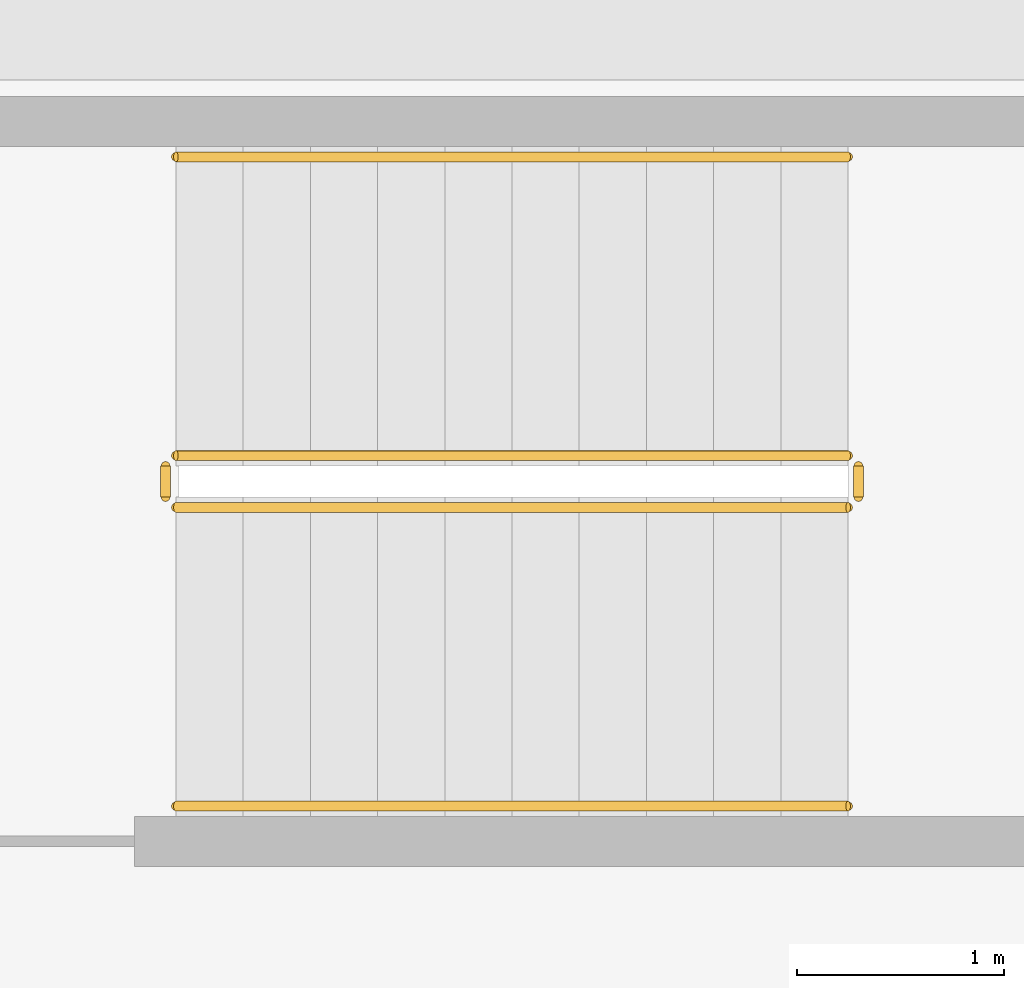
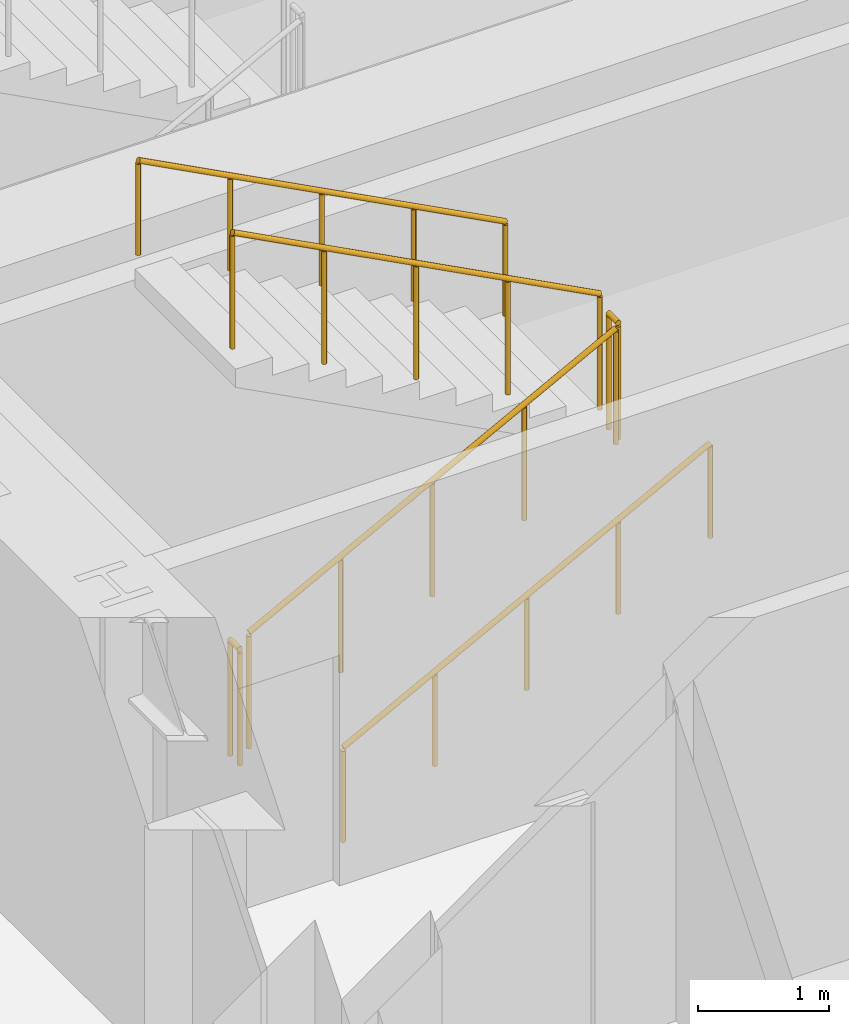
# One storey, part 12 of 15: 6 railings.
"""IFC4 building model written with IfcOpenShell, lengths in metres."""

import ifcopenshell
import ifcopenshell.guid

model = None  # the IFC model being written
_history = None  # IfcOwnerHistory: only IFC2X3 demands one
_inside = {}  # id of a spatial element -> (the spatial element, [elements in it])
_under = {}  # id of a project, library or spatial element -> (it, [spatial elements below it])
_declared = {}  # id of a project -> (the project, [libraries it declares])
_typed = {}  # id of a type object -> (the type object, [elements of that type])
_made_of = {}  # id of a material, layer set ... -> (it, [elements and type objects made of it])


def new_model(schema):
    """Start an empty IFC model of exactly this schema.

    Asked for "IFC4X3", IfcOpenShell would pick the latest addendum, in which some entities
    have other attributes; the version numbers below select the first issue.
    IFC2X3 requires an IfcOwnerHistory on every rooted entity: one is made here for all.
    """
    global model, _history
    if schema == "IFC4X3":
        model = ifcopenshell.file(schema_version=(4, 3, 0, 0))
    else:
        model = ifcopenshell.file(schema=schema)
    _inside.clear()
    _under.clear()
    _declared.clear()
    _typed.clear()
    _made_of.clear()
    _history = None
    if model.schema == "IFC2X3":
        org = make("IfcOrganization", Name="unknown")
        user = make(
            "IfcPersonAndOrganization",
            ThePerson=make("IfcPerson", FamilyName="unknown"),
            TheOrganization=org,
        )
        app = make(
            "IfcApplication",
            ApplicationDeveloper=org,
            Version="unknown",
            ApplicationFullName="unknown",
            ApplicationIdentifier="unknown",
        )
        _history = make(
            "IfcOwnerHistory",
            OwningUser=user,
            OwningApplication=app,
            ChangeAction="ADDED",
            CreationDate=0,
        )
    return model


def make(cls, **values):
    """One entity of the class cls with the attributes given. An attribute that is None is left unset."""
    return model.create_entity(
        cls, **{name: value for name, value in values.items() if value is not None}
    )


def rooted(cls, **values):
    """An entity with a GlobalId (a new one), such as an element, a storey or a relation."""
    return make(cls, GlobalId=ifcopenshell.guid.new(), OwnerHistory=_history, **values)


def si_unit(unit_type, name, prefix=None):
    """IfcSIUnit, for example si_unit("LENGTHUNIT", "METRE", prefix="MILLI")."""
    return make("IfcSIUnit", UnitType=unit_type, Prefix=prefix, Name=name)


def assignment(units):
    """IfcUnitAssignment: the units of a project."""
    return None if units is None else make("IfcUnitAssignment", Units=units)


def point(xyz):
    """IfcCartesianPoint."""
    return None if xyz is None else make("IfcCartesianPoint", Coordinates=xyz)


def direction(xyz):
    """IfcDirection."""
    return None if xyz is None else make("IfcDirection", DirectionRatios=xyz)


def frame(location, z_axis=None, x_axis=None):
    """IfcAxis2Placement3D, a coordinate frame: its origin and axes. An axis left out is left unset."""
    return make(
        "IfcAxis2Placement3D",
        Location=point(location),
        Axis=direction(z_axis),
        RefDirection=direction(x_axis),
    )


def frame_2d(location, x_axis=None):
    """IfcAxis2Placement2D, a coordinate frame in the plane: its origin and x axis."""
    return make(
        "IfcAxis2Placement2D", Location=point(location), RefDirection=direction(x_axis)
    )


def origin():
    """The frame at (0, 0, 0) with its axes left unset."""
    return frame((0.0, 0.0, 0.0))


def origin_2d():
    """The frame at (0, 0) in the plane with its x axis left unset."""
    return frame_2d((0.0, 0.0))


def place(relative_to, where):
    """IfcLocalPlacement: puts the frame where relative to a parent placement (None: the world)."""
    return make(
        "IfcLocalPlacement", PlacementRelTo=relative_to, RelativePlacement=where
    )


def context(
    kind, dimensions, precision=None, world=None, true_north=None, identifier=None
):
    """IfcGeometricRepresentationContext, for example the 3D "Model" context."""
    return make(
        "IfcGeometricRepresentationContext",
        ContextIdentifier=identifier,
        ContextType=kind,
        CoordinateSpaceDimension=dimensions,
        Precision=precision,
        WorldCoordinateSystem=world,
        TrueNorth=true_north,
    )


def subcontext(parent, identifier, kind, view, scale=None):
    """IfcGeometricRepresentationSubContext, for example "Body" below "Model"."""
    return make(
        "IfcGeometricRepresentationSubContext",
        ContextIdentifier=identifier,
        ContextType=kind,
        ParentContext=parent,
        TargetScale=scale,
        TargetView=view,
    )


def project(units=None, contexts=None):
    """IfcProject with its units and contexts."""
    return rooted(
        "IfcProject",
        Name="project",
        RepresentationContexts=contexts,
        UnitsInContext=assignment(units),
    )


def spatial(cls, under=None, at=None, **own):
    """A site, building, storey or space (cls), placed at a placement, below another one or the project."""
    s = rooted(cls, ObjectPlacement=at, **own)
    if under is not None:
        _under.setdefault(under.id(), (under, []))[1].append(s)
    return s


def profile(cls, at=None, kind="AREA", **sizes):
    """A parametric profile (cls). Its sizes go by their IFC names, for example OverallWidth=200.0."""
    return make(cls, ProfileType=kind, Position=at, **sizes)


def circle(**sizes):
    """IfcCircleProfileDef."""
    return profile("IfcCircleProfileDef", **sizes)


def extrude(swept, where, along, depth):
    """IfcExtrudedAreaSolid: the profile swept, set in the frame where, extruded along a direction by depth."""
    return make(
        "IfcExtrudedAreaSolid",
        SweptArea=swept,
        Position=where,
        ExtrudedDirection=direction(along),
        Depth=depth,
    )


def shape(context_of_items, identifier, shape_type, items):
    """IfcShapeRepresentation: the items that make up one representation, for example the "Body"."""
    return make(
        "IfcShapeRepresentation",
        ContextOfItems=context_of_items,
        RepresentationIdentifier=identifier,
        RepresentationType=shape_type,
        Items=items,
    )


def material(Name=None, Category=None):
    """IfcMaterial."""
    return make("IfcMaterial", Name=Name, Category=Category)


def made_of(thing, what):
    """Note that an element or type object is made of a material, layer set ...; save() writes the relation."""
    if what is not None:
        _made_of.setdefault(what.id(), (what, []))[1].append(thing)
    return thing


def type_object(cls, material=None, **own):
    """A type object (cls), such as IfcWallType, which elements share."""
    return made_of(rooted(cls, **own), material)


def element(
    cls,
    number,
    at=None,
    inside=None,
    cuts=None,
    type_object=None,
    material=None,
    context=None,
    identifier="Body",
    shape_type=None,
    held_by="IfcProductDefinitionShape",
    body=None,
    shapes=None,
    **own,
):
    """One element of the class cls, such as IfcWall. Its Tag is "e" and its number.

    at: its placement. inside: the storey or other place that contains it. cuts: it is an
    opening in that element (IfcRelVoidsElement). A single representation is given by context,
    identifier, shape_type and body (its items); several are given by shapes. held_by: the class
    of the entity that holds the representations. save() writes the other relations.
    """
    e = rooted(cls, Tag="e%d" % number, ObjectPlacement=at, **own)
    if body is not None:
        shapes = [shape(context, identifier, shape_type, body)]
    if shapes is not None:
        e.Representation = make(held_by, Representations=shapes)
    if inside is not None:
        _inside.setdefault(inside.id(), (inside, []))[1].append(e)
    if cuts is not None:
        rooted(
            "IfcRelVoidsElement", RelatingBuildingElement=cuts, RelatedOpeningElement=e
        )
    if type_object is not None:
        _typed.setdefault(type_object.id(), (type_object, []))[1].append(e)
    return made_of(e, material)


def aggregate(whole, parts):
    """IfcRelAggregates: a whole, such as a stair, and the parts it consists of."""
    return rooted("IfcRelAggregates", RelatingObject=whole, RelatedObjects=parts)


def save(model, path):
    """Write the relations noted so far, then the file.

    IfcRelAggregates (storeys below a building ...), IfcRelContainedInSpatialStructure (elements
    in a storey), IfcRelDefinesByType, IfcRelAssociatesMaterial and IfcRelDeclares: one each for
    every whole, place, type object, material and project.
    """
    for whole, parts in _under.values():
        aggregate(whole, parts)
    for where, things in _inside.values():
        rooted(
            "IfcRelContainedInSpatialStructure",
            RelatedElements=things,
            RelatingStructure=where,
        )
    for kind, things in _typed.values():
        rooted("IfcRelDefinesByType", RelatedObjects=things, RelatingType=kind)
    for what, things in _made_of.values():
        rooted("IfcRelAssociatesMaterial", RelatedObjects=things, RelatingMaterial=what)
    for by, libraries in _declared.values():
        rooted("IfcRelDeclares", RelatingContext=by, RelatedDefinitions=libraries)
    model.write(path)


model = new_model("IFC4")

# Units and contexts
model_context = context("Model", 3, precision=1e-05, world=origin(), true_north=direction((0.0, 1.0)))
body_context = subcontext(model_context, "Body", "Model", "MODEL_VIEW")
ifc_project = project(units=[si_unit("LENGTHUNIT", "METRE"), si_unit("AREAUNIT", "SQUARE_METRE"), si_unit("VOLUMEUNIT", "CUBIC_METRE"), si_unit("PLANEANGLEUNIT", "RADIAN"), si_unit("MASSUNIT", "GRAM", prefix="KILO")], contexts=[model_context])

# Site, building, storey
site_placement = place(None, origin())
site = spatial("IfcSite", under=ifc_project, at=site_placement, CompositionType="ELEMENT")
building_placement = place(site_placement, origin())
building = spatial("IfcBuilding", under=site, at=building_placement, Name="Kolvaren Arena Tower", CompositionType="ELEMENT")
storey_placement = place(building_placement, frame((0.0, 0.0, 60.75)))
storey = spatial("IfcBuildingStorey", under=building, at=storey_placement, Name="L12", CompositionType="ELEMENT", Elevation=60.75)

# Railings
ifc_material_1 = material(Name="Painted galvanized steel", Category="steel")
railing_type_1 = type_object("IfcRailingType", Name="GUARD-ST-110", PredefinedType="GUARDRAIL", material=ifc_material_1)
railing_1_placement = place(storey_placement, frame((52.719970703125, 31.639892578125, 0.17041015625)))
element("IfcRailing", 1, at=railing_1_placement, inside=storey, type_object=railing_type_1, Name="L12 ST-E1 stair guard 1", PredefinedType="GUARDRAIL", context=body_context, shape_type="SweptSolid", body=[
    extrude(circle(Radius=0.02392578125, at=origin_2d()), frame((0.0, 0.0, 1.076171875), z_axis=(0.884993431791, 0.0, 0.465603506952), x_axis=(0.0, 1.0, 0.0)), (0.0, 0.0, 1.0), 3.6611328125),
    extrude(circle(Radius=0.02099609375, at=origin_2d()), origin(), (0.0, 0.0, 1.0), 1.052001953125),
    extrude(circle(Radius=0.02099609375, at=origin_2d()), frame((0.81005859375, 0.0, 0.42626953125)), (0.0, 0.0, 1.0), 1.052001953125),
    extrude(circle(Radius=0.02099609375, at=origin_2d()), frame((1.6201171875, 0.0, 0.852294921875)), (0.0, 0.0, 1.0), 1.052001953125),
    extrude(circle(Radius=0.02099609375, at=origin_2d()), frame((2.429931640625, 0.0, 1.2783203125)), (0.0, 0.0, 1.0), 1.052001953125),
    extrude(circle(Radius=0.02099609375, at=origin_2d()), frame((3.239990234375, 0.0, 1.70458984375)), (0.0, 0.0, 1.0), 1.052001953125),
])
railing_2_placement = place(storey_placement, frame((56.010009765625, 31.68994140625, 1.875)))
element("IfcRailing", 2, at=railing_2_placement, inside=storey, type_object=railing_type_1, Name="L12 ST-E1 stair guard 2", PredefinedType="GUARDRAIL", context=body_context, shape_type="SweptSolid", body=[
    extrude(circle(Radius=0.02392578125, at=origin_2d()), frame((0.0, 0.0, 1.076171875), z_axis=(0.0, 1.0, 0.0), x_axis=(-1.0, 0.0, 0.0)), (0.0, 0.0, 1.0), 0.150146484375),
    extrude(circle(Radius=0.02099609375, at=origin_2d()), origin(), (0.0, 0.0, 1.0), 1.052001953125),
    extrude(circle(Radius=0.02099609375, at=origin_2d()), frame((0.0, 0.150146484375, 0.0)), (0.0, 0.0, 1.0), 1.052001953125),
])
railing_3_placement = place(storey_placement, frame((55.9599609375, 31.889892578125, 2.04541015625)))
element("IfcRailing", 3, at=railing_3_placement, inside=storey, type_object=railing_type_1, Name="L12 ST-E1 stair guard 3", PredefinedType="GUARDRAIL", context=body_context, shape_type="SweptSolid", body=[
    extrude(circle(Radius=0.02392578125, at=origin_2d()), frame((0.0, 0.0, 1.076171875), z_axis=(-0.884993431791, 0.0, 0.465603506952), x_axis=(0.0, -1.0, 0.0)), (0.0, 0.0, 1.0), 3.6611328125),
    extrude(circle(Radius=0.02099609375, at=origin_2d()), origin(), (0.0, 0.0, 1.0), 1.052001953125),
    extrude(circle(Radius=0.02099609375, at=origin_2d()), frame((-0.81005859375, 0.0, 0.42626953125)), (0.0, 0.0, 1.0), 1.052001953125),
    extrude(circle(Radius=0.02099609375, at=origin_2d()), frame((-1.6201171875, 0.0, 0.852294921875)), (0.0, 0.0, 1.0), 1.052001953125),
    extrude(circle(Radius=0.02099609375, at=origin_2d()), frame((-2.429931640625, 0.0, 1.2783203125)), (0.0, 0.0, 1.0), 1.052001953125),
    extrude(circle(Radius=0.02099609375, at=origin_2d()), frame((-3.239990234375, 0.0, 1.70458984375)), (0.0, 0.0, 1.0), 1.052001953125),
])
railing_4_placement = place(storey_placement, frame((52.669921875, 31.68994140625, 0.0)))
element("IfcRailing", 4, at=railing_4_placement, inside=storey, type_object=railing_type_1, Name="L12 ST-E1 stair guard 4", PredefinedType="GUARDRAIL", context=body_context, shape_type="SweptSolid", body=[
    extrude(circle(Radius=0.02392578125, at=origin_2d()), frame((0.0, 0.0, 1.076171875), z_axis=(0.0, 1.0, 0.0), x_axis=(-1.0, 0.0, 0.0)), (0.0, 0.0, 1.0), 0.150146484375),
    extrude(circle(Radius=0.02099609375, at=origin_2d()), origin(), (0.0, 0.0, 1.0), 1.052001953125),
    extrude(circle(Radius=0.02099609375, at=origin_2d()), frame((0.0, 0.150146484375, 0.0)), (0.0, 0.0, 1.0), 1.052001953125),
])
ifc_material_2 = material(Name="Brushed stainless steel handrail", Category="steel")
railing_type_2 = type_object("IfcRailingType", Name="HRAIL-900", PredefinedType="HANDRAIL", material=ifc_material_2)
railing_5_placement = place(storey_placement, frame((52.719970703125, 30.199951171875, 0.17041015625)))
element("IfcRailing", 5, at=railing_5_placement, inside=storey, type_object=railing_type_2, Name="L12 ST-E1 stair handrail 1", PredefinedType="HANDRAIL", context=body_context, shape_type="SweptSolid", body=[
    extrude(circle(Radius=0.02392578125, at=origin_2d()), frame((0.0, 0.0, 0.8759765625), z_axis=(0.884993431791, 0.0, 0.465603506952), x_axis=(0.0, 1.0, 0.0)), (0.0, 0.0, 1.0), 3.6611328125),
    extrude(circle(Radius=0.02099609375, at=origin_2d()), origin(), (0.0, 0.0, 1.0), 0.851806640625),
    extrude(circle(Radius=0.02099609375, at=origin_2d()), frame((0.81005859375, 0.0, 0.42626953125)), (0.0, 0.0, 1.0), 0.851806640625),
    extrude(circle(Radius=0.02099609375, at=origin_2d()), frame((1.6201171875, 0.0, 0.852294921875)), (0.0, 0.0, 1.0), 0.851806640625),
    extrude(circle(Radius=0.02099609375, at=origin_2d()), frame((2.429931640625, 0.0, 1.2783203125)), (0.0, 0.0, 1.0), 0.851806640625),
    extrude(circle(Radius=0.02099609375, at=origin_2d()), frame((3.239990234375, 0.0, 1.70458984375)), (0.0, 0.0, 1.0), 0.851806640625),
])
railing_6_placement = place(storey_placement, frame((55.9599609375, 33.330078125, 2.04541015625)))
element("IfcRailing", 6, at=railing_6_placement, inside=storey, type_object=railing_type_2, Name="L12 ST-E1 stair handrail 2", PredefinedType="HANDRAIL", context=body_context, shape_type="SweptSolid", body=[
    extrude(circle(Radius=0.02392578125, at=origin_2d()), frame((0.0, 0.0, 0.8759765625), z_axis=(-0.884993431791, 0.0, 0.465603506952), x_axis=(0.0, -1.0, 0.0)), (0.0, 0.0, 1.0), 3.6611328125),
    extrude(circle(Radius=0.02099609375, at=origin_2d()), origin(), (0.0, 0.0, 1.0), 0.851806640625),
    extrude(circle(Radius=0.02099609375, at=origin_2d()), frame((-0.81005859375, 0.0, 0.42626953125)), (0.0, 0.0, 1.0), 0.851806640625),
    extrude(circle(Radius=0.02099609375, at=origin_2d()), frame((-1.6201171875, 0.0, 0.852294921875)), (0.0, 0.0, 1.0), 0.851806640625),
    extrude(circle(Radius=0.02099609375, at=origin_2d()), frame((-2.429931640625, 0.0, 1.2783203125)), (0.0, 0.0, 1.0), 0.851806640625),
    extrude(circle(Radius=0.02099609375, at=origin_2d()), frame((-3.239990234375, 0.0, 1.70458984375)), (0.0, 0.0, 1.0), 0.851806640625),
])

save(model, "model.ifc")
